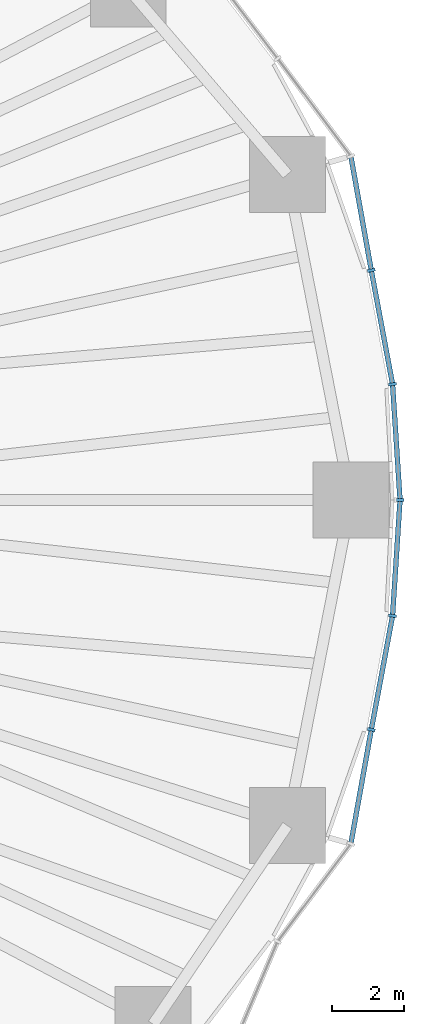
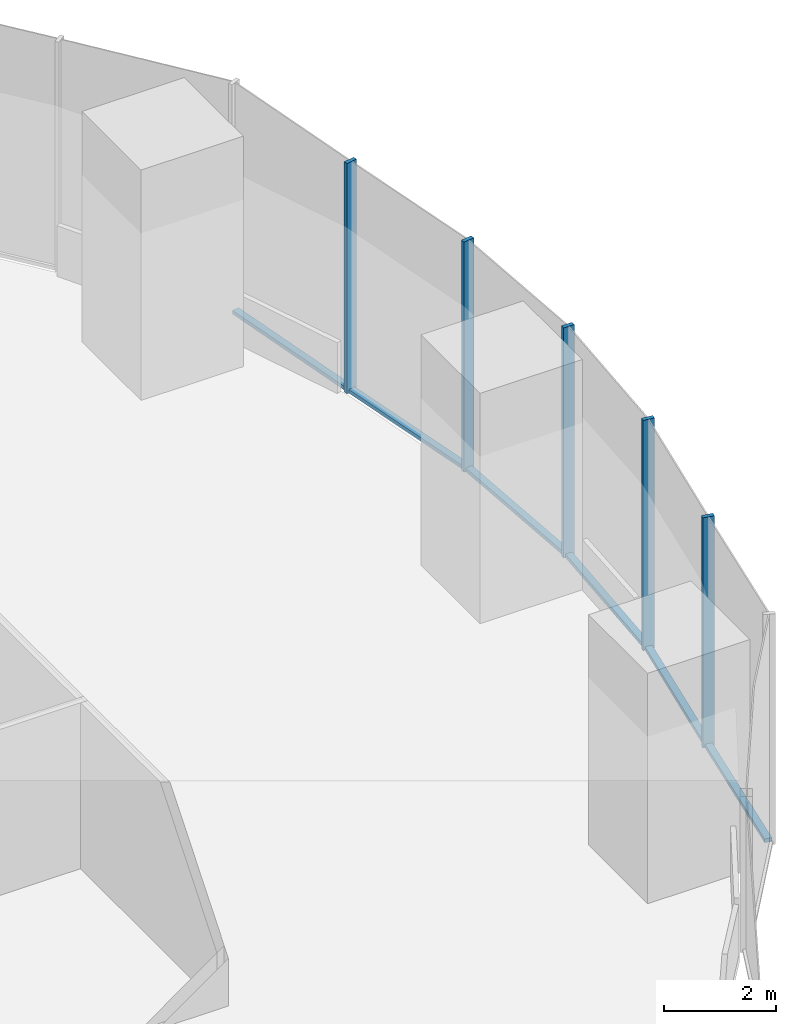
# One storey, part 7 of 20: 11 members, 2 elements without a shape of their own.
"""IFC4 building model written with IfcOpenShell, lengths in metres."""

from ifc_helpers import new_model, si_unit, direction, frame, origin, origin_2d, place, context, subcontext, project, spatial, rectangle, extrude, material, material_profile, profile_set, type_object, element, aggregate, save


model = new_model("IFC4")

# Units and contexts
model_context = context("Model", 3, precision=1e-05, world=origin(), true_north=direction((0.0, 1.0)))
body_context = subcontext(model_context, "Body", "Model", "MODEL_VIEW")
ifc_project = project(units=[si_unit("LENGTHUNIT", "METRE"), si_unit("AREAUNIT", "SQUARE_METRE"), si_unit("VOLUMEUNIT", "CUBIC_METRE"), si_unit("PLANEANGLEUNIT", "RADIAN"), si_unit("MASSUNIT", "GRAM", prefix="KILO")], contexts=[model_context])

# Site, building, storey
site_placement = place(None, origin())
site = spatial("IfcSite", under=ifc_project, at=site_placement, CompositionType="ELEMENT")
building_placement = place(site_placement, origin())
building = spatial("IfcBuilding", under=site, at=building_placement, Name="Ghaith Harvest Tower", CompositionType="ELEMENT")
storey_placement = place(building_placement, frame((0.0, 0.0, 25.0)))
storey = spatial("IfcBuildingStorey", under=building, at=storey_placement, Name="L05", CompositionType="ELEMENT", Elevation=25.0)

# Curtain wall, members
ifc_material_1 = material(Name="Black anodised aluminium and fritted glass", Category="aluminium")
curtain_wall_type = type_object("IfcCurtainWallType", Name="CW-F CURTAIN WALL", PredefinedType="NOTDEFINED", material=ifc_material_1)
curtain_wall_1_placement = place(storey_placement, origin())
curtain_wall_1 = element("IfcCurtainWall", 1, at=curtain_wall_1_placement, inside=storey, type_object=curtain_wall_type, Name="Curtain wall CW-F bay 01 L05", PredefinedType="NOTDEFINED")
ifc_material_2 = material(Name="Aluminium, black anodised", Category="aluminium")
ifc_material_profile_1 = material_profile(ifc_material_2, rectangle(XDim=0.080078125, YDim=0.219970703125, at=origin_2d()), Name="CW-F MULLION 80x220")
ifc_profile_set_1 = profile_set([ifc_material_profile_1], Name="Aluminium, black anodised")
member_type_1 = type_object("IfcMemberType", Name="CW-F MULLION 80x220", PredefinedType="MULLION", material=ifc_profile_set_1)
member_1_placement = place(storey_placement, frame((34.284912109375, 0.0, 0.0), z_axis=(0.0, 0.0, 1.0), x_axis=(1.05e-10, 1.0, 0.0)))
member_1 = element("IfcMember", 2, at=member_1_placement, type_object=member_type_1, Name="CW-F mullion 1 bay 01 L05", PredefinedType="MULLION", context=body_context, shape_type="SweptSolid", body=[
    extrude(rectangle(XDim=0.080078125, YDim=0.219970703125, at=origin_2d()), origin(), (0.0, 0.0, 1.0), 5.0),
])
member_2_placement = place(storey_placement, frame((34.077880859375, 3.205322265625, 0.0), z_axis=(0.0, 0.0, 1.0), x_axis=(-0.12416951168, 0.992261020281, 0.0)))
member_2 = element("IfcMember", 3, at=member_2_placement, type_object=member_type_1, Name="CW-F mullion 2 bay 01 L05", PredefinedType="MULLION", context=body_context, shape_type="SweptSolid", body=[
    extrude(rectangle(XDim=0.080078125, YDim=0.219970703125, at=origin_2d()), origin(), (0.0, 0.0, 1.0), 5.0),
])
member_3_placement = place(storey_placement, frame((33.489501953125, 6.3564453125, 0.0), z_axis=(0.0, 0.0, 1.0), x_axis=(-0.179943325455, 0.98367697931, 0.0)))
member_3 = element("IfcMember", 4, at=member_3_placement, type_object=member_type_1, Name="CW-F mullion 3 bay 01 L05", PredefinedType="MULLION", context=body_context, shape_type="SweptSolid", body=[
    extrude(rectangle(XDim=0.080078125, YDim=0.219970703125, at=origin_2d()), origin(), (0.0, 0.0, 1.0), 5.0),
])

curtain_wall_2_placement = place(storey_placement, origin())
curtain_wall_2 = element("IfcCurtainWall", 5, at=curtain_wall_2_placement, inside=storey, type_object=curtain_wall_type, Name="Curtain wall CW-F bay 20 L05", PredefinedType="NOTDEFINED")
member_4_placement = place(storey_placement, frame((33.489501953125, -6.3564453125, 0.0), z_axis=(0.0, 0.0, 1.0), x_axis=(0.17994332573, 0.98367697926, 0.0)))
member_4 = element("IfcMember", 6, at=member_4_placement, type_object=member_type_1, Name="CW-F mullion 2 bay 20 L05", PredefinedType="MULLION", context=body_context, shape_type="SweptSolid", body=[
    extrude(rectangle(XDim=0.080078125, YDim=0.219970703125, at=origin_2d()), origin(), (0.0, 0.0, 1.0), 5.0),
])
member_5_placement = place(storey_placement, frame((34.077880859375, -3.205322265625, 0.0), z_axis=(0.0, 0.0, 1.0), x_axis=(0.124169511819, 0.992261020264, 0.0)))
member_5 = element("IfcMember", 7, at=member_5_placement, type_object=member_type_1, Name="CW-F mullion 3 bay 20 L05", PredefinedType="MULLION", context=body_context, shape_type="SweptSolid", body=[
    extrude(rectangle(XDim=0.080078125, YDim=0.219970703125, at=origin_2d()), origin(), (0.0, 0.0, 1.0), 5.0),
])

# Member
ifc_material_3 = material(Name="Aluminium, black anodised", Category="aluminium")
ifc_material_profile_2 = material_profile(ifc_material_3, rectangle(XDim=0.139892578125, YDim=0.080078125, at=origin_2d()), Name="CW-F TRANSOM 140x80")
ifc_profile_set_2 = profile_set([ifc_material_profile_2], Name="Aluminium, black anodised")
member_type_2 = type_object("IfcMemberType", Name="CW-F TRANSOM 140x80", PredefinedType="USERDEFINED", material=ifc_profile_set_2)
member_6_placement = place(storey_placement, frame((34.282470703125, 0.039794921875, 0.0400390625), z_axis=(-0.064459898973, 0.997920298132, 0.0), x_axis=(-0.997920298132, -0.064459898973, 0.0)))
member_6 = element("IfcMember", 8, at=member_6_placement, type_object=member_type_2, Name="CW-F transom 1 bay 01 L05", ObjectType="TRANSOM", PredefinedType="USERDEFINED", context=body_context, shape_type="SweptSolid", body=[
    extrude(rectangle(XDim=0.139892578125, YDim=0.080078125, at=origin_2d()), origin(), (0.0, 0.0, 1.0), 3.13232421875),
])

member_7_placement = place(storey_placement, frame((34.070556640625, 3.24462890625, 0.0400390625), z_axis=(-0.183557496381, 0.983008975301, 0.0), x_axis=(-0.983008975301, -0.183557496381, 0.0)))
member_7 = element("IfcMember", 9, at=member_7_placement, type_object=member_type_2, Name="CW-F transom 2 bay 01 L05", ObjectType="TRANSOM", PredefinedType="USERDEFINED", context=body_context, shape_type="SweptSolid", body=[
    extrude(rectangle(XDim=0.139892578125, YDim=0.080078125, at=origin_2d()), origin(), (0.0, 0.0, 1.0), 3.125732421875),
])

member_8_placement = place(storey_placement, frame((33.482421875, 6.395751953125, 0.0400390625), z_axis=(-0.176303612865, 0.984335835013, 0.0), x_axis=(-0.984335835013, -0.176303612865, 0.0)))
member_8 = element("IfcMember", 10, at=member_8_placement, type_object=member_type_2, Name="CW-F transom 3 bay 01 L05", ObjectType="TRANSOM", PredefinedType="USERDEFINED", context=body_context, shape_type="SweptSolid", body=[
    extrude(rectangle(XDim=0.139892578125, YDim=0.080078125, at=origin_2d()), origin(), (0.0, 0.0, 1.0), 3.129638671875),
])

aggregate(curtain_wall_1, [member_1, member_6, member_2, member_7, member_3, member_8])

member_9_placement = place(storey_placement, frame((32.9306640625, -9.476318359375, 0.0400390625), z_axis=(0.176303612865, 0.984335835013, 0.0), x_axis=(-0.984335835013, 0.176303612865, 0.0)))
member_9 = element("IfcMember", 11, at=member_9_placement, type_object=member_type_2, Name="CW-F transom 1 bay 20 L05", ObjectType="TRANSOM", PredefinedType="USERDEFINED", context=body_context, shape_type="SweptSolid", body=[
    extrude(rectangle(XDim=0.139892578125, YDim=0.080078125, at=origin_2d()), origin(), (0.0, 0.0, 1.0), 3.129638671875),
])

member_10_placement = place(storey_placement, frame((33.496826171875, -6.317138671875, 0.0400390625), z_axis=(0.183557496381, 0.983008975301, 0.0), x_axis=(-0.983008975301, 0.183557496381, 0.0)))
member_10 = element("IfcMember", 12, at=member_10_placement, type_object=member_type_2, Name="CW-F transom 2 bay 20 L05", ObjectType="TRANSOM", PredefinedType="USERDEFINED", context=body_context, shape_type="SweptSolid", body=[
    extrude(rectangle(XDim=0.139892578125, YDim=0.080078125, at=origin_2d()), origin(), (0.0, 0.0, 1.0), 3.125732421875),
])

member_11_placement = place(storey_placement, frame((34.08056640625, -3.16552734375, 0.0400390625), z_axis=(0.064459898973, 0.997920298132, 0.0), x_axis=(-0.997920298132, 0.064459898973, 0.0)))
member_11 = element("IfcMember", 13, at=member_11_placement, type_object=member_type_2, Name="CW-F transom 3 bay 20 L05", ObjectType="TRANSOM", PredefinedType="USERDEFINED", context=body_context, shape_type="SweptSolid", body=[
    extrude(rectangle(XDim=0.139892578125, YDim=0.080078125, at=origin_2d()), origin(), (0.0, 0.0, 1.0), 3.13232421875),
])

aggregate(curtain_wall_2, [member_9, member_4, member_10, member_5, member_11])

save(model, "model.ifc")
